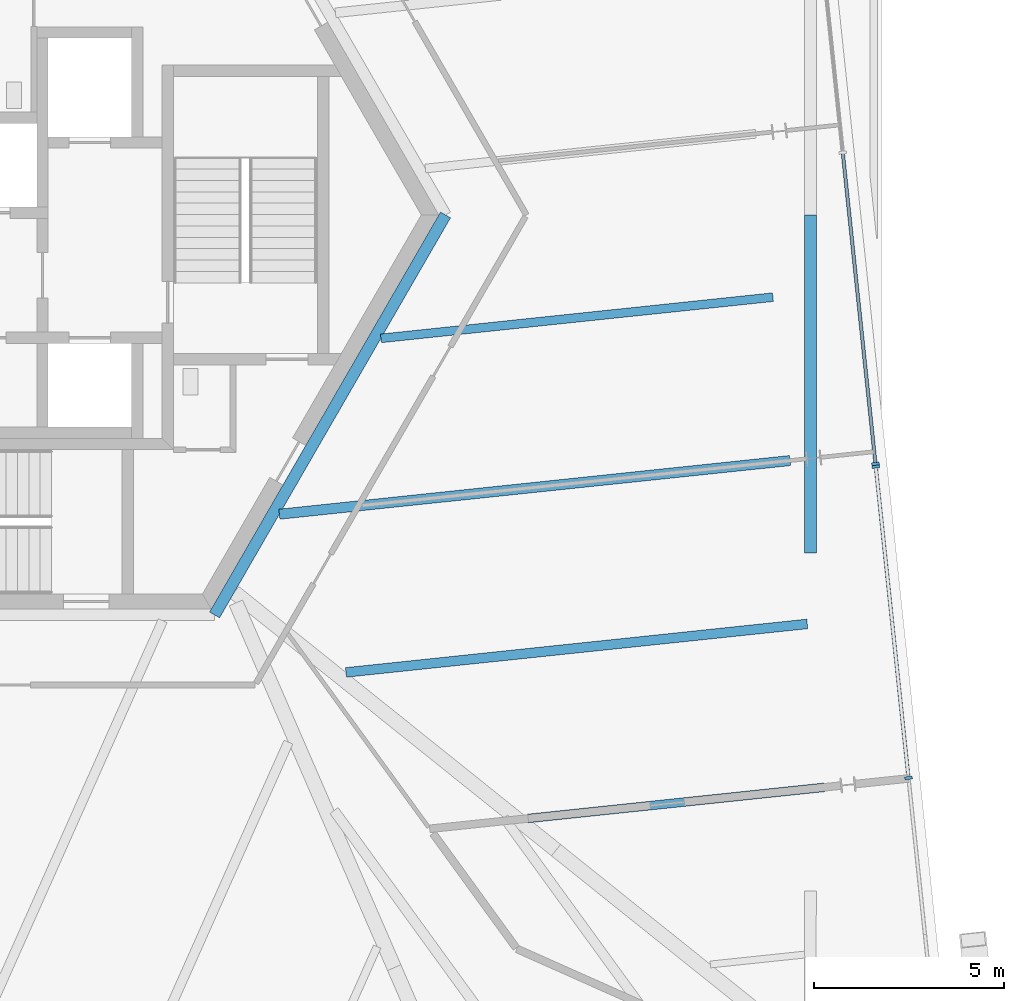
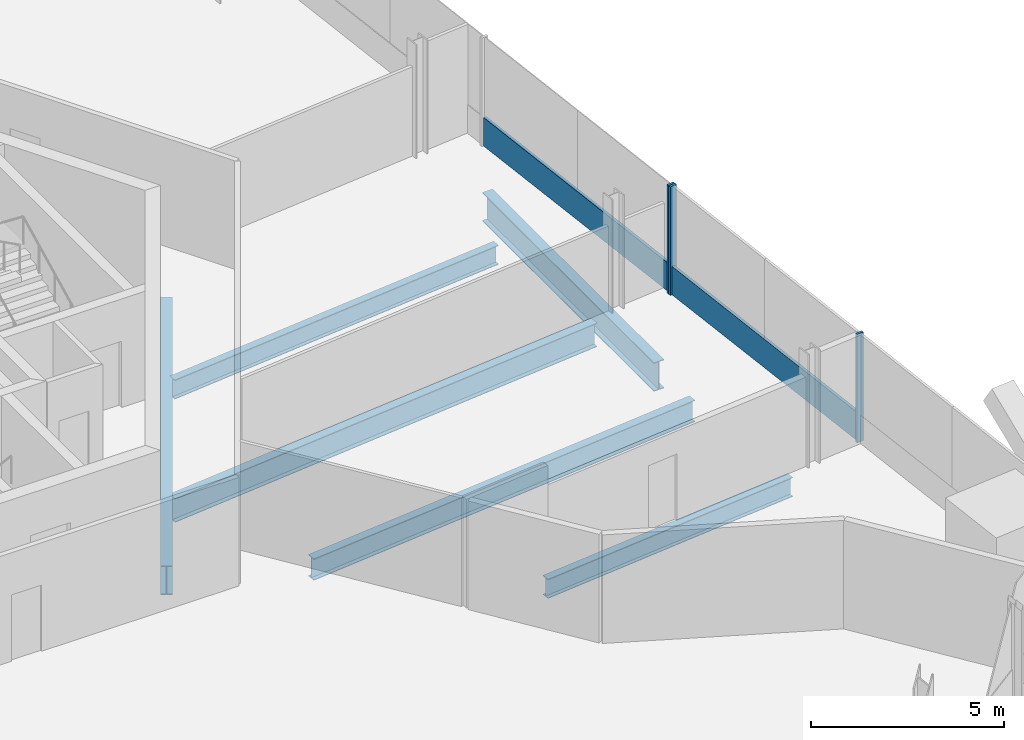
# One storey, part 5 of 24: 6 beams, 5 members, 2 elements without a shape of their own.
"""IFC4 building model written with IfcOpenShell, lengths in metres."""

from ifc_helpers import new_model, si_unit, direction, frame, origin, origin_2d, place, context, subcontext, project, spatial, rectangle, i_section, extrude, source, transform, mapped, material, material_profile, profile_set, type_object, element, aggregate, save


model = new_model("IFC4")

# Units and contexts
model_context = context("Model", 3, precision=1e-05, world=origin(), true_north=direction((0.0, 1.0)))
body_context = subcontext(model_context, "Body", "Model", "MODEL_VIEW")
ifc_project = project(units=[si_unit("LENGTHUNIT", "METRE"), si_unit("AREAUNIT", "SQUARE_METRE"), si_unit("VOLUMEUNIT", "CUBIC_METRE"), si_unit("PLANEANGLEUNIT", "RADIAN"), si_unit("MASSUNIT", "GRAM", prefix="KILO")], contexts=[model_context])

# Site, building, storey
site_placement = place(None, origin())
site = spatial("IfcSite", under=ifc_project, at=site_placement, CompositionType="ELEMENT")
building_placement = place(site_placement, origin())
building = spatial("IfcBuilding", under=site, at=building_placement, Name="Triune Harvest Tower", CompositionType="ELEMENT")
storey_placement = place(building_placement, frame((0.0, 0.0, 58.5)))
storey = spatial("IfcBuildingStorey", under=building, at=storey_placement, Name="L13", CompositionType="ELEMENT", Elevation=58.5)

# Beams
ifc_material_1 = material(Name="Steel ASTM A992 Gr 50", Category="steel")
ifc_material_profile_1 = material_profile(ifc_material_1, i_section(OverallWidth=0.22900390625, OverallDepth=0.612060546875, WebThickness=0.011962890625, FlangeThickness=0.01953125, at=origin_2d()), Name="W24x84")
ifc_profile_set_1 = profile_set([ifc_material_profile_1], Name="Steel ASTM A992 Gr 50")
beam_type_1 = type_object("IfcBeamType", Name="JT-3 Floor joist W24x84", PredefinedType="JOIST", material=ifc_profile_set_1)
beam_1_placement = place(storey_placement, frame((22.166259765625, -15.090087890625, -0.466064453125), z_axis=(-0.994520262289, -0.104543999815, 0.0), x_axis=(0.104543999815, -0.994520262289, 0.0)))
element("IfcBeam", 1, at=beam_1_placement, inside=storey, type_object=beam_type_1, Name="beam/L13/JT2", PredefinedType="JOIST", context=body_context, shape_type="SweptSolid", body=[
    extrude(i_section(OverallWidth=0.22900390625, OverallDepth=0.612060546875, WebThickness=0.011962890625, FlangeThickness=0.01953125, at=origin_2d()), origin(), (0.0, 0.0, 1.0), 7.853515625),
])
ifc_material_2 = material(Name="Steel ASTM A992 Gr 50", Category="steel")
ifc_material_profile_2 = material_profile(ifc_material_2, i_section(OverallWidth=0.253662109375, OverallDepth=0.683349609375, WebThickness=0.012451171875, FlangeThickness=0.01904296875, at=origin_2d()), Name="W27x94")
ifc_profile_set_2 = profile_set([ifc_material_profile_2], Name="Steel ASTM A992 Gr 50")
beam_type_2 = type_object("IfcBeamType", Name="JT-4 Floor joist W27x94", PredefinedType="JOIST", material=ifc_profile_set_2)
beam_2_placement = place(storey_placement, frame((21.713623046875, -10.78271484375, -0.501708984375), z_axis=(-0.99452163093, -0.104530979194, 0.0), x_axis=(0.104530979194, -0.99452163093, 0.0)))
element("IfcBeam", 2, at=beam_2_placement, inside=storey, type_object=beam_type_2, Name="beam/L13/JT3", PredefinedType="JOIST", context=body_context, shape_type="SweptSolid", body=[
    extrude(i_section(OverallWidth=0.253662109375, OverallDepth=0.683349609375, WebThickness=0.012451171875, FlangeThickness=0.01904296875, at=origin_2d()), origin(), (0.0, 0.0, 1.0), 12.22900390625),
])
ifc_material_3 = material(Name="Steel ASTM A992 Gr 50", Category="steel")
ifc_material_profile_3 = material_profile(ifc_material_3, i_section(OverallWidth=0.2666015625, OverallDepth=0.7568359375, WebThickness=0.013916015625, FlangeThickness=0.019287109375, at=origin_2d()), Name="W30x108")
ifc_profile_set_3 = profile_set([ifc_material_profile_3], Name="Steel ASTM A992 Gr 50")
beam_type_3 = type_object("IfcBeamType", Name="JT-5 Floor joist W30x108", PredefinedType="JOIST", material=ifc_profile_set_3)
beam_3_placement = place(storey_placement, frame((21.2607421875, -6.475341796875, -0.53857421875), z_axis=(-0.994522829978, -0.104519570672, 0.0), x_axis=(0.104519570672, -0.994522829978, 0.0)))
element("IfcBeam", 3, at=beam_3_placement, inside=storey, type_object=beam_type_3, Name="beam/L13/JT4", PredefinedType="JOIST", context=body_context, shape_type="SweptSolid", body=[
    extrude(i_section(OverallWidth=0.2666015625, OverallDepth=0.7568359375, WebThickness=0.013916015625, FlangeThickness=0.019287109375, at=origin_2d()), origin(), (0.0, 0.0, 1.0), 13.53857421875),
])

# Curtain wall, member
ifc_material_4 = material(Name="Aluminium bronze anodised", Category="aluminium")
curtain_wall_type_1 = type_object("IfcCurtainWallType", Name="CW-1 Tower stick curtain wall", PredefinedType="NOTDEFINED", material=ifc_material_4)
curtain_wall_1_placement = place(storey_placement, origin())
curtain_wall_1 = element("IfcCurtainWall", 4, at=curtain_wall_1_placement, inside=storey, type_object=curtain_wall_type_1, Name="CW-1 B2-F1 L13 run 1101")
ifc_material_5 = material(Name="Aluminium bronze anodised", Category="aluminium")
ifc_material_profile_4 = material_profile(ifc_material_5, rectangle(XDim=0.090087890625, YDim=0.89990234375, at=origin_2d()), Name="TR-1 transom 90 x 900")
ifc_profile_set_4 = profile_set([ifc_material_profile_4], Name="Aluminium bronze anodised")
member_type_1 = type_object("IfcMemberType", Name="TR-1 transom 90 x 900", PredefinedType="USERDEFINED", material=ifc_profile_set_4)
member_1_placement = place(storey_placement, frame((23.508544921875, -6.52490234375, 0.449951171875), z_axis=(-0.104524707682, 0.994522290089, 0.0), x_axis=(-0.994522290089, -0.104524707682, 0.0)))
member_1 = element("IfcMember", 5, at=member_1_placement, type_object=member_type_1, Name="CW-1 transom B2-F1 1101.1", ObjectType="TRANSOM", PredefinedType="USERDEFINED", context=body_context, shape_type="SweptSolid", body=[
    extrude(rectangle(XDim=0.090087890625, YDim=0.89990234375, at=origin_2d()), origin(), (0.0, 0.0, 1.0), 8.17724609375),
])

# Beams
ifc_material_6 = material(Name="Steel ASTM A992 Gr 50", Category="steel")
ifc_material_profile_5 = material_profile(ifc_material_6, i_section(OverallWidth=0.3046875, OverallDepth=0.914306640625, WebThickness=0.0166015625, FlangeThickness=0.02587890625, at=origin_2d()), Name="W36x160")
ifc_profile_set_5 = profile_set([ifc_material_profile_5], Name="Steel ASTM A992 Gr 50")
beam_type_4 = type_object("IfcBeamType", Name="CG-1 Core ring girder W36x160", PredefinedType="BEAM", material=ifc_profile_set_5)
shared_shape_1 = source(origin(), body_context, "Body", "SweptSolid", [
    extrude(i_section(OverallWidth=0.3046875, OverallDepth=0.914306640625, WebThickness=0.0166015625, FlangeThickness=0.02587890625, at=origin_2d()), origin(), (0.0, 0.0, 1.0), 12.176025390625),
])
beam_4_placement = place(storey_placement, frame((6.087890625, -10.544677734375, -0.6171875), z_axis=(0.5000099932, 0.866019634131, 0.0), x_axis=(-0.866019634131, 0.5000099932, 0.0)))
element("IfcBeam", 6, at=beam_4_placement, inside=storey, type_object=beam_type_4, Name="beam/L13/CG6", PredefinedType="BEAM", context=body_context, shape_type="MappedRepresentation", body=[
    mapped(shared_shape_1, transform((0.0, 0.0, 0.0), scale=1.0)),
])
ifc_material_7 = material(Name="Steel ASTM A992 Gr 50", Category="steel")
ifc_material_profile_6 = material_profile(ifc_material_7, i_section(OverallWidth=0.3046875, OverallDepth=0.914306640625, WebThickness=0.0166015625, FlangeThickness=0.02587890625, at=origin_2d()), Name="W36x160")
ifc_profile_set_6 = profile_set([ifc_material_profile_6], Name="Steel ASTM A992 Gr 50")
beam_type_5 = type_object("IfcBeamType", Name="SB-1 Spandrel beam W36x160", PredefinedType="SPANDREL", material=ifc_profile_set_6)
shared_shape_2 = source(origin(), body_context, "Body", "SweptSolid", [
    extrude(i_section(OverallWidth=0.3046875, OverallDepth=0.914306640625, WebThickness=0.0166015625, FlangeThickness=0.02587890625, at=origin_2d()), origin(), (0.0, 0.0, 1.0), 8.909912109375),
])
beam_5_placement = place(storey_placement, frame((21.799560546875, -8.909912109375, -0.6171875), z_axis=(0.0, 1.0, 0.0), x_axis=(-1.0, 0.0, 0.0)))
element("IfcBeam", 7, at=beam_5_placement, inside=storey, type_object=beam_type_5, Name="beam/L13/WB2", PredefinedType="SPANDREL", context=body_context, shape_type="MappedRepresentation", body=[
    mapped(shared_shape_2, transform((0.0, 0.0, 0.0), scale=1.0)),
])
shared_shape_3 = source(origin(), body_context, "Body", "SweptSolid", [
    extrude(i_section(OverallWidth=0.22900390625, OverallDepth=0.612060546875, WebThickness=0.011962890625, FlangeThickness=0.01953125, at=origin_2d()), origin(), (0.0, 0.0, 1.0), 10.391845703125),
])
beam_6_placement = place(storey_placement, frame((20.80810546875, -2.16796875, -0.466064453125), z_axis=(-0.994522560837, -0.104522131559, 0.0), x_axis=(0.104522131559, -0.994522560837, 0.0)))
element("IfcBeam", 8, at=beam_6_placement, inside=storey, type_object=beam_type_1, Name="beam/L13/JT5", PredefinedType="JOIST", context=body_context, shape_type="MappedRepresentation", body=[
    mapped(shared_shape_3, transform((0.0, 0.0, 0.0), scale=1.0)),
])

# Curtain wall, members
ifc_material_8 = material(Name="Aluminium bronze anodised", Category="aluminium")
curtain_wall_type_2 = type_object("IfcCurtainWallType", Name="CW-7 Tower stick curtain wall with insulated spandrel infill", PredefinedType="NOTDEFINED", material=ifc_material_8)
curtain_wall_2_placement = place(storey_placement, origin())
curtain_wall_2 = element("IfcCurtainWall", 9, at=curtain_wall_2_placement, inside=storey, type_object=curtain_wall_type_2, Name="CW-7 B2-F1 L13 run 101")
ifc_material_9 = material(Name="Aluminium bronze anodised", Category="aluminium")
ifc_material_profile_7 = material_profile(ifc_material_9, rectangle(XDim=0.199951171875, YDim=0.074951171875, at=origin_2d()), Name="MU-1 mullion 75 x 200")
ifc_profile_set_7 = profile_set([ifc_material_profile_7], Name="Aluminium bronze anodised")
member_type_2 = type_object("IfcMemberType", Name="MU-1 mullion 75 x 200", PredefinedType="MULLION", material=ifc_profile_set_7)
shared_shape_4 = source(origin(), body_context, "Body", "SweptSolid", [
    extrude(rectangle(XDim=0.199951171875, YDim=0.074951171875, at=origin_2d()), origin(), (0.0, 0.0, 1.0), 3.43994140625),
])
member_2_placement = place(storey_placement, frame((24.383056640625, -14.84423828125, 0.0), z_axis=(0.0, 0.0, 1.0), x_axis=(-0.994521865689, -0.104528745642, 0.0)))
member_2 = element("IfcMember", 10, at=member_2_placement, type_object=member_type_2, Name="CW-7 mullion B2-F1 101.3", PredefinedType="MULLION", context=body_context, shape_type="MappedRepresentation", body=[
    mapped(shared_shape_4, transform((0.0, 0.0, 0.0), scale=1.0)),
])
member_3_placement = place(storey_placement, frame((23.520263671875, -6.636962890625, 0.0), z_axis=(0.0, 0.0, 1.0), x_axis=(-0.994521865689, -0.104528745642, 0.0)))
member_3 = element("IfcMember", 11, at=member_3_placement, type_object=member_type_2, Name="CW-7 mullion B2-F1 101.5", PredefinedType="MULLION", context=body_context, shape_type="MappedRepresentation", body=[
    mapped(shared_shape_4, transform((0.0, 0.0, 0.0), scale=1.0)),
])

# Member
member_4_placement = place(storey_placement, frame((23.512451171875, -6.562255859375, 0.0), z_axis=(0.0, 0.0, 1.0), x_axis=(-0.994521898639, -0.104528432145, 0.0)))
member_4 = element("IfcMember", 12, at=member_4_placement, type_object=member_type_2, Name="CW-1 mullion B2-F1 1101.1", PredefinedType="MULLION", context=body_context, shape_type="MappedRepresentation", body=[
    mapped(shared_shape_4, transform((0.0, 0.0, 0.0), scale=1.0)),
])

aggregate(curtain_wall_1, [member_4, member_1])

shared_shape_5 = source(origin(), body_context, "Body", "SweptSolid", [
    extrude(rectangle(XDim=0.090087890625, YDim=0.89990234375, at=origin_2d()), origin(), (0.0, 0.0, 1.0), 8.177734375),
])
member_5_placement = place(storey_placement, frame((24.379150390625, -14.806884765625, 0.449951171875), z_axis=(-0.104551132703, 0.994519512453, 0.0), x_axis=(-0.994519512453, -0.104551132703, 0.0)))
member_5 = element("IfcMember", 13, at=member_5_placement, type_object=member_type_1, Name="CW-7 transom B2-F1 101.2", ObjectType="TRANSOM", PredefinedType="USERDEFINED", context=body_context, shape_type="MappedRepresentation", body=[
    mapped(shared_shape_5, transform((0.0, 0.0, 0.0), scale=1.0)),
])

aggregate(curtain_wall_2, [member_2, member_3, member_5])

save(model, "model.ifc")
